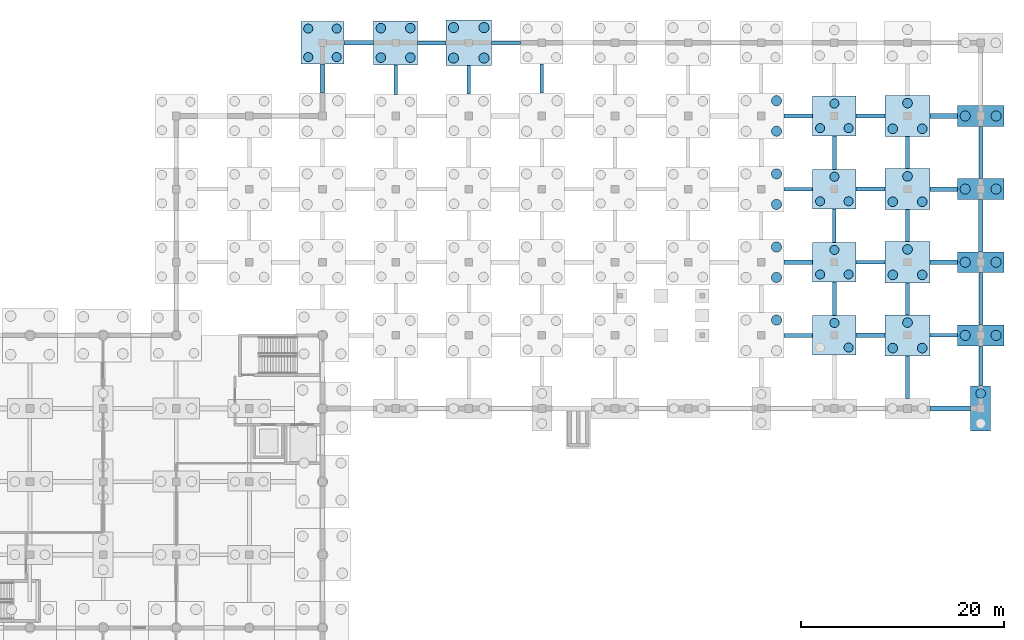
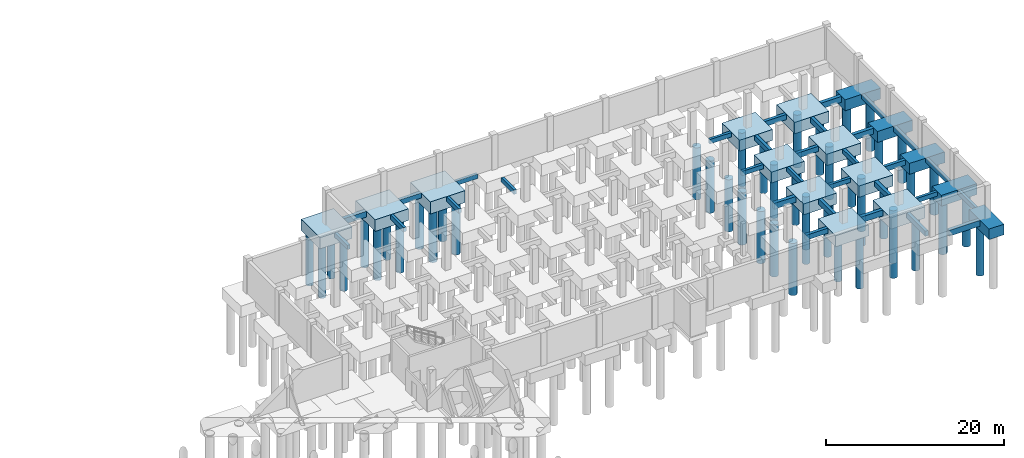
# One storey, part 15 of 35: 51 piles, 47 footings.
"""IFC4 building model written with IfcOpenShell, lengths in metres."""

from ifc_helpers import new_model, si_unit, direction, frame, origin, origin_2d, place, context, subcontext, project, spatial, rectangle, circle, extrude, material, material_profile, profile_set, type_object, element, save


model = new_model("IFC4")

# Units and contexts
model_context = context("Model", 3, precision=1e-05, world=origin(), true_north=direction((0.0, 1.0)))
body_context = subcontext(model_context, "Body", "Model", "MODEL_VIEW")
ifc_project = project(units=[si_unit("LENGTHUNIT", "METRE"), si_unit("AREAUNIT", "SQUARE_METRE"), si_unit("VOLUMEUNIT", "CUBIC_METRE"), si_unit("PLANEANGLEUNIT", "RADIAN"), si_unit("MASSUNIT", "GRAM", prefix="KILO"), si_unit("THERMODYNAMICTEMPERATUREUNIT", "KELVIN"), si_unit("POWERUNIT", "WATT")], contexts=[model_context])

# Site, building, storey
site_placement = place(None, origin())
site = spatial("IfcSite", under=ifc_project, at=site_placement, CompositionType="ELEMENT")
building_placement = place(site_placement, origin())
building = spatial("IfcBuilding", under=site, at=building_placement, Name="Kaldorven Railside Theatre", CompositionType="ELEMENT")
storey_placement = place(building_placement, frame((0.0, 0.0, -4.800048828125)))
storey = spatial("IfcBuildingStorey", under=building, at=storey_placement, Name="B1", CompositionType="ELEMENT", Elevation=-4.800048828125)

# Footings
ifc_material_1 = material(Name="Concrete C40/50", Category="concrete")
ifc_material_profile_1 = material_profile(ifc_material_1, rectangle(XDim=0.449951171875, YDim=0.800048828125, at=origin_2d()), Name="RC 450x800")
ifc_profile_set_1 = profile_set([ifc_material_profile_1], Name="Concrete C40/50")
footing_type_1 = type_object("IfcFootingType", Name="FTG-GB01", PredefinedType="FOOTING_BEAM", material=ifc_profile_set_1)
footing_1_placement = place(storey_placement, frame((183.02490234375, 105.60009765625, -0.39990234375), z_axis=(1.0, 0.0, 0.0), x_axis=(0.0, 1.0, 0.0)))
element("IfcFooting", 1, at=footing_1_placement, inside=storey, type_object=footing_type_1, Name="Foundation Tie Beam GB-369", PredefinedType="FOOTING_BEAM", context=body_context, shape_type="SweptSolid", body=[
    extrude(rectangle(XDim=0.449951171875, YDim=0.800048828125, at=origin_2d()), origin(), (0.0, 0.0, 1.0), 4.0),
])
footing_2_placement = place(storey_placement, frame((175.75, 112.800048828125, -0.39990234375), z_axis=(1.0, 0.0, 0.0), x_axis=(0.0, 1.0, 0.0)))
element("IfcFooting", 2, at=footing_2_placement, inside=storey, type_object=footing_type_1, Name="Foundation Tie Beam GB-387", PredefinedType="FOOTING_BEAM", context=body_context, shape_type="SweptSolid", body=[
    extrude(rectangle(XDim=0.449951171875, YDim=0.800048828125, at=origin_2d()), origin(), (0.0, 0.0, 1.0), 2.824951171875),
])
footing_3_placement = place(storey_placement, frame((168.64990234375, 120.0, -0.39990234375), z_axis=(1.0, 0.0, 0.0), x_axis=(0.0, 1.0, 0.0)))
element("IfcFooting", 3, at=footing_3_placement, inside=storey, type_object=footing_type_1, Name="Foundation Tie Beam GB-408", PredefinedType="FOOTING_BEAM", context=body_context, shape_type="SweptSolid", body=[
    extrude(rectangle(XDim=0.449951171875, YDim=0.800048828125, at=origin_2d()), origin(), (0.0, 0.0, 1.0), 2.800048828125),
])
for number, where, z_axis, x_axis, name in (
    (4, (183.02490234375, 127.199951171875, -0.39990234375), (1.0, 0.0, 0.0), (0.0, 1.0, 0.0), "Foundation Tie Beam GB-435"),
    (5, (183.02490234375, 134.39990234375, -0.39990234375), (1.0, 0.0, 0.0), (0.0, 1.0, 0.0), "Foundation Tie Beam GB-456"),
):
    element("IfcFooting", number, at=place(storey_placement, frame(where, z_axis=z_axis, x_axis=x_axis)), inside=storey, type_object=footing_type_1, Name=name, PredefinedType="FOOTING_BEAM", context=body_context, shape_type="SweptSolid", body=[
        extrude(rectangle(XDim=0.449951171875, YDim=0.800048828125, at=origin_2d()), origin(), (0.0, 0.0, 1.0), 2.675048828125),
    ])
footing_4_placement = place(storey_placement, frame((125.300048828125, 141.60009765625, -0.39990234375), z_axis=(1.0, 0.0, 0.0), x_axis=(0.0, 1.0, 0.0)))
element("IfcFooting", 6, at=footing_4_placement, inside=storey, type_object=footing_type_1, Name="Foundation Tie Beam GB-459", PredefinedType="FOOTING_BEAM", context=body_context, shape_type="SweptSolid", body=[
    extrude(rectangle(XDim=0.449951171875, YDim=0.800048828125, at=origin_2d()), origin(), (0.0, 0.0, 1.0), 2.925048828125),
])
ifc_material_profile_2 = material_profile(ifc_material_1, rectangle(XDim=0.39990234375, YDim=0.699951171875, at=origin_2d()), Name="RC 400x700")
ifc_profile_set_2 = profile_set([ifc_material_profile_2], Name="Concrete C40/50")
footing_type_2 = type_object("IfcFootingType", Name="FTG-GB02", PredefinedType="FOOTING_BEAM", material=ifc_profile_set_2)
footing_5_placement = place(storey_placement, frame((180.800048828125, 106.574951171875, -0.349853515625), z_axis=(0.0, 1.0, 0.0), x_axis=(-1.0, 0.0, 0.0)))
element("IfcFooting", 7, at=footing_5_placement, inside=storey, type_object=footing_type_2, Name="Foundation Tie Beam GB-370", PredefinedType="FOOTING_BEAM", context=body_context, shape_type="SweptSolid", body=[
    extrude(rectangle(XDim=0.39990234375, YDim=0.699951171875, at=origin_2d()), origin(), (0.0, 0.0, 1.0), 4.199951171875),
])
footing_6_placement = place(storey_placement, frame((168.64990234375, 112.800048828125, -0.349853515625), z_axis=(1.0, 0.0, 0.0), x_axis=(0.0, 1.0, 0.0)))
element("IfcFooting", 8, at=footing_6_placement, inside=storey, type_object=footing_type_2, Name="Foundation Tie Beam GB-385", PredefinedType="FOOTING_BEAM", context=body_context, shape_type="SweptSolid", body=[
    extrude(rectangle(XDim=0.39990234375, YDim=0.699951171875, at=origin_2d()), origin(), (0.0, 0.0, 1.0), 2.800048828125),
])
footing_7_placement = place(storey_placement, frame((173.60009765625, 114.75, -0.349853515625), z_axis=(0.0, 1.0, 0.0), x_axis=(-1.0, 0.0, 0.0)))
element("IfcFooting", 9, at=footing_7_placement, inside=storey, type_object=footing_type_2, Name="Foundation Tie Beam GB-388", PredefinedType="FOOTING_BEAM", context=body_context, shape_type="SweptSolid", body=[
    extrude(rectangle(XDim=0.39990234375, YDim=0.699951171875, at=origin_2d()), origin(), (0.0, 0.0, 1.0), 3.300048828125),
])
footing_8_placement = place(storey_placement, frame((180.800048828125, 114.824951171875, -0.349853515625), z_axis=(0.0, 1.0, 0.0), x_axis=(-1.0, 0.0, 0.0)))
element("IfcFooting", 10, at=footing_8_placement, inside=storey, type_object=footing_type_2, Name="Foundation Tie Beam GB-390", PredefinedType="FOOTING_BEAM", context=body_context, shape_type="SweptSolid", body=[
    extrude(rectangle(XDim=0.39990234375, YDim=0.699951171875, at=origin_2d()), origin(), (0.0, 0.0, 1.0), 3.150146484375),
])
footing_9_placement = place(storey_placement, frame((183.02490234375, 120.0, -0.349853515625), z_axis=(1.0, 0.0, 0.0), x_axis=(0.0, 1.0, 0.0)))
element("IfcFooting", 11, at=footing_9_placement, inside=storey, type_object=footing_type_2, Name="Foundation Tie Beam GB-412", PredefinedType="FOOTING_BEAM", context=body_context, shape_type="SweptSolid", body=[
    extrude(rectangle(XDim=0.39990234375, YDim=0.699951171875, at=origin_2d()), origin(), (0.0, 0.0, 1.0), 2.675048828125),
])
footing_10_placement = place(storey_placement, frame((188.0, 121.02490234375, -0.349853515625), z_axis=(0.0, 1.0, 0.0), x_axis=(-1.0, 0.0, 0.0)))
element("IfcFooting", 12, at=footing_10_placement, inside=storey, type_object=footing_type_2, Name="Foundation Tie Beam GB-414", PredefinedType="FOOTING_BEAM", context=body_context, shape_type="SweptSolid", body=[
    extrude(rectangle(XDim=0.39990234375, YDim=0.699951171875, at=origin_2d()), origin(), (0.0, 0.0, 1.0), 5.150146484375),
])
footing_11_placement = place(storey_placement, frame((175.75, 127.199951171875, -0.349853515625), z_axis=(1.0, 0.0, 0.0), x_axis=(0.0, 1.0, 0.0)))
element("IfcFooting", 13, at=footing_11_placement, inside=storey, type_object=footing_type_2, Name="Foundation Tie Beam GB-433", PredefinedType="FOOTING_BEAM", context=body_context, shape_type="SweptSolid", body=[
    extrude(rectangle(XDim=0.39990234375, YDim=0.699951171875, at=origin_2d()), origin(), (0.0, 0.0, 1.0), 2.824951171875),
])
footing_12_placement = place(storey_placement, frame((173.60009765625, 129.14990234375, -0.349853515625), z_axis=(0.0, 1.0, 0.0), x_axis=(-1.0, 0.0, 0.0)))
element("IfcFooting", 14, at=footing_12_placement, inside=storey, type_object=footing_type_2, Name="Foundation Tie Beam GB-434", PredefinedType="FOOTING_BEAM", context=body_context, shape_type="SweptSolid", body=[
    extrude(rectangle(XDim=0.39990234375, YDim=0.699951171875, at=origin_2d()), origin(), (0.0, 0.0, 1.0), 3.300048828125),
])
footing_13_placement = place(storey_placement, frame((180.800048828125, 129.22509765625, -0.349853515625), z_axis=(0.0, 1.0, 0.0), x_axis=(-1.0, 0.0, 0.0)))
element("IfcFooting", 15, at=footing_13_placement, inside=storey, type_object=footing_type_2, Name="Foundation Tie Beam GB-436", PredefinedType="FOOTING_BEAM", context=body_context, shape_type="SweptSolid", body=[
    extrude(rectangle(XDim=0.39990234375, YDim=0.699951171875, at=origin_2d()), origin(), (0.0, 0.0, 1.0), 3.14990234375),
])
footing_14_placement = place(storey_placement, frame((175.75, 134.39990234375, -0.349853515625), z_axis=(1.0, 0.0, 0.0), x_axis=(0.0, 1.0, 0.0)))
element("IfcFooting", 16, at=footing_14_placement, inside=storey, type_object=footing_type_2, Name="Foundation Tie Beam GB-454", PredefinedType="FOOTING_BEAM", context=body_context, shape_type="SweptSolid", body=[
    extrude(rectangle(XDim=0.39990234375, YDim=0.699951171875, at=origin_2d()), origin(), (0.0, 0.0, 1.0), 2.824951171875),
])
footing_15_placement = place(storey_placement, frame((132.574951171875, 141.60009765625, -0.349853515625), z_axis=(1.0, 0.0, 0.0), x_axis=(0.0, 1.0, 0.0)))
element("IfcFooting", 17, at=footing_15_placement, inside=storey, type_object=footing_type_2, Name="Foundation Tie Beam GB-460", PredefinedType="FOOTING_BEAM", context=body_context, shape_type="SweptSolid", body=[
    extrude(rectangle(XDim=0.39990234375, YDim=0.699951171875, at=origin_2d()), origin(), (0.0, 0.0, 1.0), 2.775146484375),
])
ifc_material_profile_3 = material_profile(ifc_material_1, rectangle(XDim=0.35009765625, YDim=0.60009765625, at=origin_2d()), Name="RC 350x600")
ifc_profile_set_3 = profile_set([ifc_material_profile_3], Name="Concrete C40/50")
footing_type_3 = type_object("IfcFootingType", Name="FTG-GB03", PredefinedType="FOOTING_BEAM", material=ifc_profile_set_3)
footing_16_placement = place(storey_placement, frame((188.0, 107.824951171875, -0.300048828125), z_axis=(0.0, 1.0, 0.0), x_axis=(-1.0, 0.0, 0.0)))
element("IfcFooting", 18, at=footing_16_placement, inside=storey, type_object=footing_type_3, Name="Foundation Tie Beam GB-371", PredefinedType="FOOTING_BEAM", context=body_context, shape_type="SweptSolid", body=[
    extrude(rectangle(XDim=0.35009765625, YDim=0.60009765625, at=origin_2d()), origin(), (0.0, 0.0, 1.0), 3.949951171875),
])
footing_17_placement = place(storey_placement, frame((183.02490234375, 112.800048828125, -0.300048828125), z_axis=(1.0, 0.0, 0.0), x_axis=(0.0, 1.0, 0.0)))
element("IfcFooting", 19, at=footing_17_placement, inside=storey, type_object=footing_type_3, Name="Foundation Tie Beam GB-389", PredefinedType="FOOTING_BEAM", context=body_context, shape_type="SweptSolid", body=[
    extrude(rectangle(XDim=0.35009765625, YDim=0.60009765625, at=origin_2d()), origin(), (0.0, 0.0, 1.0), 2.675048828125),
])
footing_18_placement = place(storey_placement, frame((188.0, 113.824951171875, -0.300048828125), z_axis=(0.0, 1.0, 0.0), x_axis=(-1.0, 0.0, 0.0)))
element("IfcFooting", 20, at=footing_18_placement, inside=storey, type_object=footing_type_3, Name="Foundation Tie Beam GB-391", PredefinedType="FOOTING_BEAM", context=body_context, shape_type="SweptSolid", body=[
    extrude(rectangle(XDim=0.35009765625, YDim=0.60009765625, at=origin_2d()), origin(), (0.0, 0.0, 1.0), 5.150146484375),
])
footing_19_placement = place(storey_placement, frame((175.75, 120.0, -0.300048828125), z_axis=(1.0, 0.0, 0.0), x_axis=(0.0, 1.0, 0.0)))
element("IfcFooting", 21, at=footing_19_placement, inside=storey, type_object=footing_type_3, Name="Foundation Tie Beam GB-410", PredefinedType="FOOTING_BEAM", context=body_context, shape_type="SweptSolid", body=[
    extrude(rectangle(XDim=0.35009765625, YDim=0.60009765625, at=origin_2d()), origin(), (0.0, 0.0, 1.0), 2.824951171875),
])
footing_20_placement = place(storey_placement, frame((173.60009765625, 121.949951171875, -0.300048828125), z_axis=(0.0, 1.0, 0.0), x_axis=(-1.0, 0.0, 0.0)))
element("IfcFooting", 22, at=footing_20_placement, inside=storey, type_object=footing_type_3, Name="Foundation Tie Beam GB-411", PredefinedType="FOOTING_BEAM", context=body_context, shape_type="SweptSolid", body=[
    extrude(rectangle(XDim=0.35009765625, YDim=0.60009765625, at=origin_2d()), origin(), (0.0, 0.0, 1.0), 3.300048828125),
])
footing_21_placement = place(storey_placement, frame((180.800048828125, 122.02490234375, -0.300048828125), z_axis=(0.0, 1.0, 0.0), x_axis=(-1.0, 0.0, 0.0)))
element("IfcFooting", 23, at=footing_21_placement, inside=storey, type_object=footing_type_3, Name="Foundation Tie Beam GB-413", PredefinedType="FOOTING_BEAM", context=body_context, shape_type="SweptSolid", body=[
    extrude(rectangle(XDim=0.35009765625, YDim=0.60009765625, at=origin_2d()), origin(), (0.0, 0.0, 1.0), 3.150146484375),
])
footing_22_placement = place(storey_placement, frame((168.64990234375, 127.199951171875, -0.300048828125), z_axis=(1.0, 0.0, 0.0), x_axis=(0.0, 1.0, 0.0)))
element("IfcFooting", 24, at=footing_22_placement, inside=storey, type_object=footing_type_3, Name="Foundation Tie Beam GB-431", PredefinedType="FOOTING_BEAM", context=body_context, shape_type="SweptSolid", body=[
    extrude(rectangle(XDim=0.35009765625, YDim=0.60009765625, at=origin_2d()), origin(), (0.0, 0.0, 1.0), 2.800048828125),
])
footing_23_placement = place(storey_placement, frame((188.0, 128.22509765625, -0.300048828125), z_axis=(0.0, 1.0, 0.0), x_axis=(-1.0, 0.0, 0.0)))
element("IfcFooting", 25, at=footing_23_placement, inside=storey, type_object=footing_type_3, Name="Foundation Tie Beam GB-437", PredefinedType="FOOTING_BEAM", context=body_context, shape_type="SweptSolid", body=[
    extrude(rectangle(XDim=0.35009765625, YDim=0.60009765625, at=origin_2d()), origin(), (0.0, 0.0, 1.0), 5.14990234375),
])
footing_24_placement = place(storey_placement, frame((123.199951171875, 136.64990234375, -0.300048828125), z_axis=(0.0, 1.0, 0.0), x_axis=(-1.0, 0.0, 0.0)))
element("IfcFooting", 26, at=footing_24_placement, inside=storey, type_object=footing_type_3, Name="Foundation Tie Beam GB-441", PredefinedType="FOOTING_BEAM", context=body_context, shape_type="SweptSolid", body=[
    extrude(rectangle(XDim=0.35009765625, YDim=0.60009765625, at=origin_2d()), origin(), (0.0, 0.0, 1.0), 2.85009765625),
])
footing_25_placement = place(storey_placement, frame((130.39990234375, 136.5, -0.300048828125), z_axis=(0.0, 1.0, 0.0), x_axis=(-1.0, 0.0, 0.0)))
element("IfcFooting", 27, at=footing_25_placement, inside=storey, type_object=footing_type_3, Name="Foundation Tie Beam GB-443", PredefinedType="FOOTING_BEAM", context=body_context, shape_type="SweptSolid", body=[
    extrude(rectangle(XDim=0.35009765625, YDim=0.60009765625, at=origin_2d()), origin(), (0.0, 0.0, 1.0), 2.925048828125),
])
footing_26_placement = place(storey_placement, frame((137.60009765625, 136.574951171875, -0.300048828125), z_axis=(0.0, 1.0, 0.0), x_axis=(-1.0, 0.0, 0.0)))
element("IfcFooting", 28, at=footing_26_placement, inside=storey, type_object=footing_type_3, Name="Foundation Tie Beam GB-445", PredefinedType="FOOTING_BEAM", context=body_context, shape_type="SweptSolid", body=[
    extrude(rectangle(XDim=0.35009765625, YDim=0.60009765625, at=origin_2d()), origin(), (0.0, 0.0, 1.0), 2.775146484375),
])
footing_27_placement = place(storey_placement, frame((144.800048828125, 136.64990234375, -0.300048828125), z_axis=(0.0, 1.0, 0.0), x_axis=(-1.0, 0.0, 0.0)))
element("IfcFooting", 29, at=footing_27_placement, inside=storey, type_object=footing_type_3, Name="Foundation Tie Beam GB-447", PredefinedType="FOOTING_BEAM", context=body_context, shape_type="SweptSolid", body=[
    extrude(rectangle(XDim=0.35009765625, YDim=0.60009765625, at=origin_2d()), origin(), (0.0, 0.0, 1.0), 2.85009765625),
])
footing_28_placement = place(storey_placement, frame((168.64990234375, 134.39990234375, -0.300048828125), z_axis=(1.0, 0.0, 0.0), x_axis=(0.0, 1.0, 0.0)))
element("IfcFooting", 30, at=footing_28_placement, inside=storey, type_object=footing_type_3, Name="Foundation Tie Beam GB-452", PredefinedType="FOOTING_BEAM", context=body_context, shape_type="SweptSolid", body=[
    extrude(rectangle(XDim=0.35009765625, YDim=0.60009765625, at=origin_2d()), origin(), (0.0, 0.0, 1.0), 2.800048828125),
])
footing_29_placement = place(storey_placement, frame((139.85009765625, 141.60009765625, -0.300048828125), z_axis=(1.0, 0.0, 0.0), x_axis=(0.0, 1.0, 0.0)))
element("IfcFooting", 31, at=footing_29_placement, inside=storey, type_object=footing_type_3, Name="Foundation Tie Beam GB-461", PredefinedType="FOOTING_BEAM", context=body_context, shape_type="SweptSolid", body=[
    extrude(rectangle(XDim=0.35009765625, YDim=0.60009765625, at=origin_2d()), origin(), (0.0, 0.0, 1.0), 2.849853515625),
])
footing_type_4 = type_object("IfcFootingType", Name="FTG-PC07", PredefinedType="PILE_CAP", material=ifc_material_1)
footing_30_placement = place(storey_placement, frame((188.0, 105.60009765625, -1.44970703125), z_axis=(0.0, 0.0, 1.0), x_axis=(1.0, 0.0, 0.0)))
element("IfcFooting", 32, at=footing_30_placement, inside=storey, type_object=footing_type_4, Name="Reinforced Concrete Pile Cap FC-208", PredefinedType="PILE_CAP", context=body_context, shape_type="SweptSolid", body=[
    extrude(rectangle(XDim=1.949951171875, YDim=4.449951171875, at=origin_2d()), origin(), (0.0, 0.0, 1.0), 1.449951171875),
])
footing_type_5 = type_object("IfcFootingType", Name="FTG-PC08", PredefinedType="PILE_CAP", material=ifc_material_1)
for number, where, z_axis, x_axis, name in (
    (33, (188.0, 112.800048828125, -1.5), (0.0, 0.0, 1.0), (1.0, 0.0, 0.0), "Reinforced Concrete Pile Cap FC-221"),
    (34, (188.0, 120.0, -1.5), (0.0, 0.0, 1.0), (1.0, 0.0, 0.0), "Reinforced Concrete Pile Cap FC-233"),
    (35, (188.0, 127.199951171875, -1.5), (0.0, 0.0, 1.0), (1.0, 0.0, 0.0), "Reinforced Concrete Pile Cap FC-245"),
    (36, (188.0, 134.39990234375, -1.5), (0.0, 0.0, 1.0), (1.0, 0.0, 0.0), "Reinforced Concrete Pile Cap FC-257"),
):
    element("IfcFooting", number, at=place(storey_placement, frame(where, z_axis=z_axis, x_axis=x_axis)), inside=storey, type_object=footing_type_5, Name=name, PredefinedType="PILE_CAP", context=body_context, shape_type="SweptSolid", body=[
        extrude(rectangle(XDim=4.60009765625, YDim=2.050048828125, at=origin_2d()), origin(), (0.0, 0.0, 1.0), 1.5),
    ])
footing_type_6 = type_object("IfcFootingType", Name="FTG-PC09", PredefinedType="PILE_CAP", material=ifc_material_1)
for number, where, z_axis, x_axis, name in (
    (37, (173.60009765625, 112.800048828125, -1.5), (0.0, 0.0, 1.0), (1.0, 0.0, 0.0), "Reinforced Concrete Pile Cap FC-219"),
    (38, (173.60009765625, 120.0, -1.5), (0.0, 0.0, 1.0), (1.0, 0.0, 0.0), "Reinforced Concrete Pile Cap FC-231"),
    (39, (173.60009765625, 127.199951171875, -1.5), (0.0, 0.0, 1.0), (1.0, 0.0, 0.0), "Reinforced Concrete Pile Cap FC-243"),
    (40, (173.60009765625, 134.39990234375, -1.5), (0.0, 0.0, 1.0), (1.0, 0.0, 0.0), "Reinforced Concrete Pile Cap FC-255"),
):
    element("IfcFooting", number, at=place(storey_placement, frame(where, z_axis=z_axis, x_axis=x_axis)), inside=storey, type_object=footing_type_6, Name=name, PredefinedType="PILE_CAP", context=body_context, shape_type="SweptSolid", body=[
        extrude(rectangle(XDim=4.300048828125, YDim=3.89990234375, at=origin_2d()), origin(), (0.0, 0.0, 1.0), 1.5),
    ])
footing_type_7 = type_object("IfcFootingType", Name="FTG-PC10", PredefinedType="PILE_CAP", material=ifc_material_1)
for number, where, z_axis, x_axis, name in (
    (41, (180.800048828125, 112.800048828125, -1.5498046875), (0.0, 0.0, 1.0), (1.0, 0.0, 0.0), "Reinforced Concrete Pile Cap FC-220"),
    (42, (180.800048828125, 120.0, -1.5498046875), (0.0, 0.0, 1.0), (1.0, 0.0, 0.0), "Reinforced Concrete Pile Cap FC-232"),
    (43, (180.800048828125, 127.199951171875, -1.5498046875), (0.0, 0.0, 1.0), (1.0, 0.0, 0.0), "Reinforced Concrete Pile Cap FC-244"),
    (44, (180.800048828125, 134.39990234375, -1.5498046875), (0.0, 0.0, 1.0), (1.0, 0.0, 0.0), "Reinforced Concrete Pile Cap FC-256"),
):
    element("IfcFooting", number, at=place(storey_placement, frame(where, z_axis=z_axis, x_axis=x_axis)), inside=storey, type_object=footing_type_7, Name=name, PredefinedType="PILE_CAP", context=body_context, shape_type="SweptSolid", body=[
        extrude(rectangle(XDim=4.449951171875, YDim=4.050048828125, at=origin_2d()), origin(), (0.0, 0.0, 1.0), 1.550048828125),
    ])
footing_type_8 = type_object("IfcFootingType", Name="FTG-PC12", PredefinedType="PILE_CAP", material=ifc_material_1)
footing_31_placement = place(storey_placement, frame((123.199951171875, 141.60009765625, -1.5498046875), z_axis=(0.0, 0.0, 1.0), x_axis=(1.0, 0.0, 0.0)))
element("IfcFooting", 45, at=footing_31_placement, inside=storey, type_object=footing_type_8, Name="Reinforced Concrete Pile Cap FC-258", PredefinedType="PILE_CAP", context=body_context, shape_type="SweptSolid", body=[
    extrude(rectangle(XDim=4.199951171875, YDim=4.199951171875, at=origin_2d()), origin(), (0.0, 0.0, 1.0), 1.550048828125),
])
footing_type_9 = type_object("IfcFootingType", Name="FTG-PC13", PredefinedType="PILE_CAP", material=ifc_material_1)
footing_32_placement = place(storey_placement, frame((130.39990234375, 141.60009765625, -1.60009765625), z_axis=(0.0, 0.0, 1.0), x_axis=(1.0, 0.0, 0.0)))
element("IfcFooting", 46, at=footing_32_placement, inside=storey, type_object=footing_type_9, Name="Reinforced Concrete Pile Cap FC-259", PredefinedType="PILE_CAP", context=body_context, shape_type="SweptSolid", body=[
    extrude(rectangle(XDim=4.35009765625, YDim=4.35009765625, at=origin_2d()), origin(), (0.0, 0.0, 1.0), 1.60009765625),
])
footing_type_10 = type_object("IfcFootingType", Name="FTG-PC14", PredefinedType="PILE_CAP", material=ifc_material_1)
footing_33_placement = place(storey_placement, frame((137.60009765625, 141.60009765625, -1.64990234375), z_axis=(0.0, 0.0, 1.0), x_axis=(1.0, 0.0, 0.0)))
element("IfcFooting", 47, at=footing_33_placement, inside=storey, type_object=footing_type_10, Name="Reinforced Concrete Pile Cap FC-260", PredefinedType="PILE_CAP", context=body_context, shape_type="SweptSolid", body=[
    extrude(rectangle(XDim=4.5, YDim=4.5, at=origin_2d()), origin(), (0.0, 0.0, 1.0), 1.64990234375),
])

# Piles
ifc_material_2 = material(Name="Concrete C35/45", Category="concrete")
ifc_material_profile_4 = material_profile(ifc_material_2, circle(Radius=0.5, at=origin_2d()), Name="BP D1000")
ifc_profile_set_4 = profile_set([ifc_material_profile_4], Name="Concrete C35/45")
pile_type_1 = type_object("IfcPileType", Name="PIL-D1000", PredefinedType="BORED", material=ifc_profile_set_4)
pile_1_placement = place(storey_placement, frame((167.89990234375, 114.300048828125, -1.550048828125), z_axis=(0.0, 0.0, -1.0), x_axis=(1.0, 0.0, 0.0)))
element("IfcPile", 48, at=pile_1_placement, inside=storey, type_object=pile_type_1, Name="Bored Bedrock Socket Pile BP-166-112-4", PredefinedType="BORED", context=body_context, shape_type="SweptSolid", body=[
    extrude(circle(Radius=0.5, at=origin_2d()), origin(), (0.0, 0.0, 1.0), 7.14990234375),
])
for number, where, z_axis, x_axis, name in (
    (49, (186.47998046875, 112.800048828125, -1.39990234375), (0.0, 0.0, -1.0), (1.0, 0.0, 0.0), "Bored Bedrock Socket Pile BP-188-112-1"),
    (50, (189.52001953125, 112.800048828125, -1.39990234375), (0.0, 0.0, -1.0), (1.0, 0.0, 0.0), "Bored Bedrock Socket Pile BP-188-112-2"),
):
    element("IfcPile", number, at=place(storey_placement, frame(where, z_axis=z_axis, x_axis=x_axis)), inside=storey, type_object=pile_type_1, Name=name, PredefinedType="BORED", context=body_context, shape_type="SweptSolid", body=[
        extrude(circle(Radius=0.5, at=origin_2d()), origin(), (0.0, 0.0, 1.0), 7.300048828125),
    ])
for number, where, z_axis, x_axis, name in (
    (51, (167.89990234375, 118.5, -1.550048828125), (0.0, 0.0, -1.0), (1.0, 0.0, 0.0), "Bored Bedrock Socket Pile BP-166-120-2"),
    (52, (167.89990234375, 121.5, -1.550048828125), (0.0, 0.0, -1.0), (1.0, 0.0, 0.0), "Bored Bedrock Socket Pile BP-166-120-4"),
):
    element("IfcPile", number, at=place(storey_placement, frame(where, z_axis=z_axis, x_axis=x_axis)), inside=storey, type_object=pile_type_1, Name=name, PredefinedType="BORED", context=body_context, shape_type="SweptSolid", body=[
        extrude(circle(Radius=0.5, at=origin_2d()), origin(), (0.0, 0.0, 1.0), 7.14990234375),
    ])
for number, where, z_axis, x_axis, name in (
    (53, (186.47998046875, 120.0, -1.39990234375), (0.0, 0.0, -1.0), (1.0, 0.0, 0.0), "Bored Bedrock Socket Pile BP-188-120-1"),
    (54, (189.52001953125, 120.0, -1.39990234375), (0.0, 0.0, -1.0), (1.0, 0.0, 0.0), "Bored Bedrock Socket Pile BP-188-120-2"),
):
    element("IfcPile", number, at=place(storey_placement, frame(where, z_axis=z_axis, x_axis=x_axis)), inside=storey, type_object=pile_type_1, Name=name, PredefinedType="BORED", context=body_context, shape_type="SweptSolid", body=[
        extrude(circle(Radius=0.5, at=origin_2d()), origin(), (0.0, 0.0, 1.0), 7.300048828125),
    ])
for number, where, z_axis, x_axis, name in (
    (55, (167.89990234375, 125.699951171875, -1.550048828125), (0.0, 0.0, -1.0), (1.0, 0.0, 0.0), "Bored Bedrock Socket Pile BP-166-127-2"),
    (56, (167.89990234375, 128.699951171875, -1.550048828125), (0.0, 0.0, -1.0), (1.0, 0.0, 0.0), "Bored Bedrock Socket Pile BP-166-127-4"),
):
    element("IfcPile", number, at=place(storey_placement, frame(where, z_axis=z_axis, x_axis=x_axis)), inside=storey, type_object=pile_type_1, Name=name, PredefinedType="BORED", context=body_context, shape_type="SweptSolid", body=[
        extrude(circle(Radius=0.5, at=origin_2d()), origin(), (0.0, 0.0, 1.0), 7.14990234375),
    ])
for number, where, z_axis, x_axis, name in (
    (57, (186.47998046875, 127.199951171875, -1.39990234375), (0.0, 0.0, -1.0), (1.0, 0.0, 0.0), "Bored Bedrock Socket Pile BP-188-127-1"),
    (58, (189.52001953125, 127.199951171875, -1.39990234375), (0.0, 0.0, -1.0), (1.0, 0.0, 0.0), "Bored Bedrock Socket Pile BP-188-127-2"),
):
    element("IfcPile", number, at=place(storey_placement, frame(where, z_axis=z_axis, x_axis=x_axis)), inside=storey, type_object=pile_type_1, Name=name, PredefinedType="BORED", context=body_context, shape_type="SweptSolid", body=[
        extrude(circle(Radius=0.5, at=origin_2d()), origin(), (0.0, 0.0, 1.0), 7.300048828125),
    ])
for number, where, z_axis, x_axis, name in (
    (59, (167.89990234375, 132.89990234375, -1.550048828125), (0.0, 0.0, -1.0), (1.0, 0.0, 0.0), "Bored Bedrock Socket Pile BP-166-134-2"),
    (60, (167.89990234375, 135.89990234375, -1.550048828125), (0.0, 0.0, -1.0), (1.0, 0.0, 0.0), "Bored Bedrock Socket Pile BP-166-134-4"),
):
    element("IfcPile", number, at=place(storey_placement, frame(where, z_axis=z_axis, x_axis=x_axis)), inside=storey, type_object=pile_type_1, Name=name, PredefinedType="BORED", context=body_context, shape_type="SweptSolid", body=[
        extrude(circle(Radius=0.5, at=origin_2d()), origin(), (0.0, 0.0, 1.0), 7.14990234375),
    ])
for number, where, z_axis, x_axis, name in (
    (61, (186.47998046875, 134.39990234375, -1.39990234375), (0.0, 0.0, -1.0), (1.0, 0.0, 0.0), "Bored Bedrock Socket Pile BP-188-134-1"),
    (62, (189.52001953125, 134.39990234375, -1.39990234375), (0.0, 0.0, -1.0), (1.0, 0.0, 0.0), "Bored Bedrock Socket Pile BP-188-134-2"),
):
    element("IfcPile", number, at=place(storey_placement, frame(where, z_axis=z_axis, x_axis=x_axis)), inside=storey, type_object=pile_type_1, Name=name, PredefinedType="BORED", context=body_context, shape_type="SweptSolid", body=[
        extrude(circle(Radius=0.5, at=origin_2d()), origin(), (0.0, 0.0, 1.0), 7.300048828125),
    ])
for number, where, z_axis, x_axis, name in (
    (63, (136.10009765625, 140.10009765625, -1.550048828125), (0.0, 0.0, -1.0), (1.0, 0.0, 0.0), "Bored Bedrock Socket Pile BP-137-141-1"),
    (64, (139.10009765625, 140.10009765625, -1.550048828125), (0.0, 0.0, -1.0), (1.0, 0.0, 0.0), "Bored Bedrock Socket Pile BP-137-141-2"),
    (65, (136.10009765625, 143.10009765625, -1.550048828125), (0.0, 0.0, -1.0), (1.0, 0.0, 0.0), "Bored Bedrock Socket Pile BP-137-141-3"),
    (66, (139.10009765625, 143.10009765625, -1.550048828125), (0.0, 0.0, -1.0), (1.0, 0.0, 0.0), "Bored Bedrock Socket Pile BP-137-141-4"),
):
    element("IfcPile", number, at=place(storey_placement, frame(where, z_axis=z_axis, x_axis=x_axis)), inside=storey, type_object=pile_type_1, Name=name, PredefinedType="BORED", context=body_context, shape_type="SweptSolid", body=[
        extrude(circle(Radius=0.5, at=origin_2d()), origin(), (0.0, 0.0, 1.0), 7.14990234375),
    ])
ifc_material_profile_5 = material_profile(ifc_material_2, circle(Radius=0.449951171875, at=origin_2d()), Name="BP D900")
ifc_profile_set_5 = profile_set([ifc_material_profile_5], Name="Concrete C35/45")
pile_type_2 = type_object("IfcPileType", Name="PIL-D900", PredefinedType="BORED", material=ifc_profile_set_5)
for number, where, z_axis, x_axis, name in (
    (67, (175.0, 111.60009765625, -1.39990234375), (0.0, 0.0, -1.0), (1.0, 0.0, 0.0), "Bored Bedrock Socket Pile BP-173-112-2"),
    (68, (173.60009765625, 114.02001953125, -1.39990234375), (0.0, 0.0, -1.0), (1.0, 0.0, 0.0), "Bored Bedrock Socket Pile BP-173-112-3"),
    (69, (172.199951171875, 118.800048828125, -1.39990234375), (0.0, 0.0, -1.0), (1.0, 0.0, 0.0), "Bored Bedrock Socket Pile BP-173-120-1"),
    (70, (175.0, 118.800048828125, -1.39990234375), (0.0, 0.0, -1.0), (1.0, 0.0, 0.0), "Bored Bedrock Socket Pile BP-173-120-2"),
    (71, (173.60009765625, 121.219970703125, -1.39990234375), (0.0, 0.0, -1.0), (1.0, 0.0, 0.0), "Bored Bedrock Socket Pile BP-173-120-3"),
    (72, (172.199951171875, 126.0, -1.39990234375), (0.0, 0.0, -1.0), (1.0, 0.0, 0.0), "Bored Bedrock Socket Pile BP-173-127-1"),
    (73, (175.0, 126.0, -1.39990234375), (0.0, 0.0, -1.0), (1.0, 0.0, 0.0), "Bored Bedrock Socket Pile BP-173-127-2"),
    (74, (173.60009765625, 128.419921875, -1.39990234375), (0.0, 0.0, -1.0), (1.0, 0.0, 0.0), "Bored Bedrock Socket Pile BP-173-127-3"),
    (75, (172.199951171875, 133.199951171875, -1.39990234375), (0.0, 0.0, -1.0), (1.0, 0.0, 0.0), "Bored Bedrock Socket Pile BP-173-134-1"),
    (76, (175.0, 133.199951171875, -1.39990234375), (0.0, 0.0, -1.0), (1.0, 0.0, 0.0), "Bored Bedrock Socket Pile BP-173-134-2"),
    (77, (173.60009765625, 135.6201171875, -1.39990234375), (0.0, 0.0, -1.0), (1.0, 0.0, 0.0), "Bored Bedrock Socket Pile BP-173-134-3"),
):
    element("IfcPile", number, at=place(storey_placement, frame(where, z_axis=z_axis, x_axis=x_axis)), inside=storey, type_object=pile_type_2, Name=name, PredefinedType="BORED", context=body_context, shape_type="SweptSolid", body=[
        extrude(circle(Radius=0.449951171875, at=origin_2d()), origin(), (0.0, 0.0, 1.0), 7.300048828125),
    ])
for number, where, z_axis, x_axis, name in (
    (78, (121.800048828125, 140.199951171875, -1.449951171875), (0.0, 0.0, -1.0), (1.0, 0.0, 0.0), "Bored Bedrock Socket Pile BP-123-141-1"),
    (79, (124.60009765625, 140.199951171875, -1.449951171875), (0.0, 0.0, -1.0), (1.0, 0.0, 0.0), "Bored Bedrock Socket Pile BP-123-141-2"),
    (80, (121.800048828125, 143.0, -1.449951171875), (0.0, 0.0, -1.0), (1.0, 0.0, 0.0), "Bored Bedrock Socket Pile BP-123-141-3"),
    (81, (124.60009765625, 143.0, -1.449951171875), (0.0, 0.0, -1.0), (1.0, 0.0, 0.0), "Bored Bedrock Socket Pile BP-123-141-4"),
):
    element("IfcPile", number, at=place(storey_placement, frame(where, z_axis=z_axis, x_axis=x_axis)), inside=storey, type_object=pile_type_2, Name=name, PredefinedType="BORED", context=body_context, shape_type="SweptSolid", body=[
        extrude(circle(Radius=0.449951171875, at=origin_2d()), origin(), (0.0, 0.0, 1.0), 7.25),
    ])
ifc_material_profile_6 = material_profile(ifc_material_2, circle(Radius=0.47509765625, at=origin_2d()), Name="BP D950")
ifc_profile_set_6 = profile_set([ifc_material_profile_6], Name="Concrete C35/45")
pile_type_3 = type_object("IfcPileType", Name="PIL-D950", PredefinedType="BORED", material=ifc_profile_set_6)
pile_2_placement = place(storey_placement, frame((188.0, 107.080078125, -1.349853515625), z_axis=(0.0, 0.0, -1.0), x_axis=(1.0, 0.0, 0.0)))
element("IfcPile", 82, at=pile_2_placement, inside=storey, type_object=pile_type_3, Name="Bored Bedrock Socket Pile BP-188-105-2", PredefinedType="BORED", context=body_context, shape_type="SweptSolid", body=[
    extrude(circle(Radius=0.47509765625, at=origin_2d()), origin(), (0.0, 0.0, 1.0), 7.35009765625),
])
for number, where, z_axis, x_axis, name in (
    (83, (179.35009765625, 111.550048828125, -1.449951171875), (0.0, 0.0, -1.0), (1.0, 0.0, 0.0), "Bored Bedrock Socket Pile BP-180-112-1"),
    (84, (182.25, 111.550048828125, -1.449951171875), (0.0, 0.0, -1.0), (1.0, 0.0, 0.0), "Bored Bedrock Socket Pile BP-180-112-2"),
    (85, (180.800048828125, 114.06005859375, -1.449951171875), (0.0, 0.0, -1.0), (1.0, 0.0, 0.0), "Bored Bedrock Socket Pile BP-180-112-3"),
    (86, (179.35009765625, 118.75, -1.449951171875), (0.0, 0.0, -1.0), (1.0, 0.0, 0.0), "Bored Bedrock Socket Pile BP-180-120-1"),
    (87, (182.25, 118.75, -1.449951171875), (0.0, 0.0, -1.0), (1.0, 0.0, 0.0), "Bored Bedrock Socket Pile BP-180-120-2"),
    (88, (180.800048828125, 121.260009765625, -1.449951171875), (0.0, 0.0, -1.0), (1.0, 0.0, 0.0), "Bored Bedrock Socket Pile BP-180-120-3"),
    (89, (179.35009765625, 125.949951171875, -1.449951171875), (0.0, 0.0, -1.0), (1.0, 0.0, 0.0), "Bored Bedrock Socket Pile BP-180-127-1"),
    (90, (182.25, 125.949951171875, -1.449951171875), (0.0, 0.0, -1.0), (1.0, 0.0, 0.0), "Bored Bedrock Socket Pile BP-180-127-2"),
    (91, (180.800048828125, 128.4599609375, -1.449951171875), (0.0, 0.0, -1.0), (1.0, 0.0, 0.0), "Bored Bedrock Socket Pile BP-180-127-3"),
    (92, (179.35009765625, 133.14990234375, -1.449951171875), (0.0, 0.0, -1.0), (1.0, 0.0, 0.0), "Bored Bedrock Socket Pile BP-180-134-1"),
    (93, (182.25, 133.14990234375, -1.449951171875), (0.0, 0.0, -1.0), (1.0, 0.0, 0.0), "Bored Bedrock Socket Pile BP-180-134-2"),
    (94, (180.800048828125, 135.659912109375, -1.449951171875), (0.0, 0.0, -1.0), (1.0, 0.0, 0.0), "Bored Bedrock Socket Pile BP-180-134-3"),
):
    element("IfcPile", number, at=place(storey_placement, frame(where, z_axis=z_axis, x_axis=x_axis)), inside=storey, type_object=pile_type_3, Name=name, PredefinedType="BORED", context=body_context, shape_type="SweptSolid", body=[
        extrude(circle(Radius=0.47509765625, at=origin_2d()), origin(), (0.0, 0.0, 1.0), 7.25),
    ])
for number, where, z_axis, x_axis, name in (
    (95, (128.949951171875, 140.14990234375, -1.5), (0.0, 0.0, -1.0), (1.0, 0.0, 0.0), "Bored Bedrock Socket Pile BP-130-141-1"),
    (96, (131.85009765625, 140.14990234375, -1.5), (0.0, 0.0, -1.0), (1.0, 0.0, 0.0), "Bored Bedrock Socket Pile BP-130-141-2"),
    (97, (128.949951171875, 143.050048828125, -1.5), (0.0, 0.0, -1.0), (1.0, 0.0, 0.0), "Bored Bedrock Socket Pile BP-130-141-3"),
    (98, (131.85009765625, 143.050048828125, -1.5), (0.0, 0.0, -1.0), (1.0, 0.0, 0.0), "Bored Bedrock Socket Pile BP-130-141-4"),
):
    element("IfcPile", number, at=place(storey_placement, frame(where, z_axis=z_axis, x_axis=x_axis)), inside=storey, type_object=pile_type_3, Name=name, PredefinedType="BORED", context=body_context, shape_type="SweptSolid", body=[
        extrude(circle(Radius=0.47509765625, at=origin_2d()), origin(), (0.0, 0.0, 1.0), 7.199951171875),
    ])

save(model, "model.ifc")
